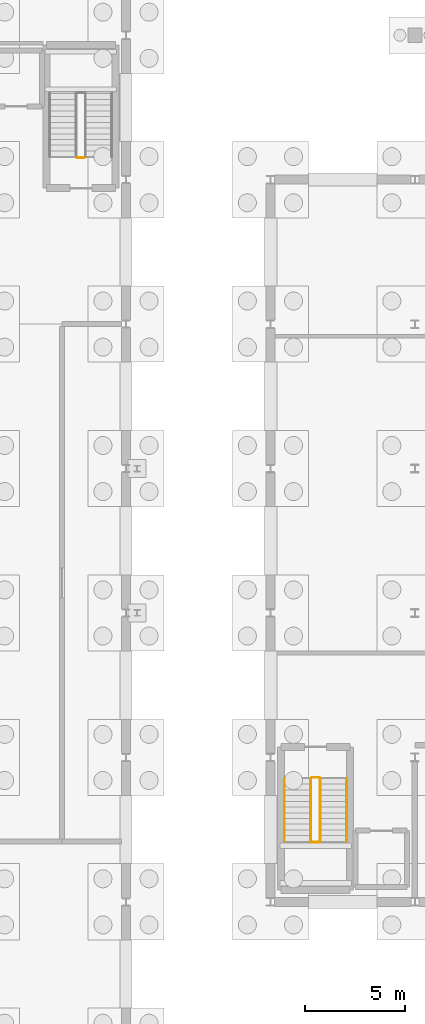
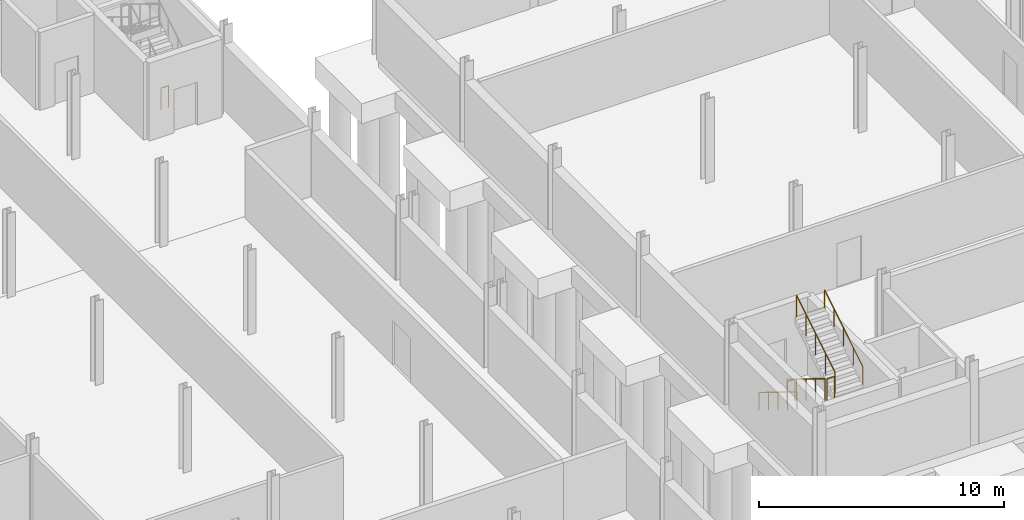
# One storey, part 46 of 50: 7 railings.
"""IFC4 building model written with IfcOpenShell, lengths in metres."""

from ifc_helpers import new_model, si_unit, direction, frame, origin, origin_2d, place, context, subcontext, project, spatial, circle, extrude, material, layer, layer_set, type_object, element, save


model = new_model("IFC4")

# Units and contexts
model_context = context("Model", 3, precision=1e-05, world=origin(), true_north=direction((0.0, 1.0)))
body_context = subcontext(model_context, "Body", "Model", "MODEL_VIEW")
ifc_project = project(units=[si_unit("LENGTHUNIT", "METRE"), si_unit("AREAUNIT", "SQUARE_METRE"), si_unit("VOLUMEUNIT", "CUBIC_METRE"), si_unit("PLANEANGLEUNIT", "RADIAN"), si_unit("MASSUNIT", "GRAM", prefix="KILO")], contexts=[model_context])

# Site, building, storey
site_placement = place(None, origin())
site = spatial("IfcSite", under=ifc_project, at=site_placement, CompositionType="ELEMENT")
building_placement = place(site_placement, origin())
building = spatial("IfcBuilding", under=site, at=building_placement, Name="Narikvali Park Central Library", CompositionType="ELEMENT")
storey_placement = place(building_placement, frame((0.0, 0.0, -4.199951171875)))
storey = spatial("IfcBuildingStorey", under=building, at=storey_placement, Name="B1", CompositionType="ELEMENT", Elevation=-4.199951171875)

# Railings
ifc_material_1 = material(Name="Brushed Stainless Steel S355", Category="steel")
ifc_layer_1 = layer(ifc_material_1, 0.044921875, Name="Brushed Stainless Steel S355")
ifc_layer_set_1 = layer_set([ifc_layer_1], Name="Brushed Stainless Steel S355")
railing_type_1 = type_object("IfcRailingType", Name="Stair Tubular Steel Handrail 900", PredefinedType="HANDRAIL", material=ifc_layer_set_1)
railing_1_placement = place(storey_placement, frame((65.5, 63.75, 0.175048828125)))
element("IfcRailing", 1, at=railing_1_placement, inside=storey, type_object=railing_type_1, Name="B1 ST-01 stair handrail 1", PredefinedType="HANDRAIL", context=body_context, shape_type="SweptSolid", body=[
    extrude(circle(Radius=0.02392578125, at=origin_2d()), frame((0.0, 0.0, 0.8759765625), z_axis=(0.0, -0.852195625947, 0.523223293744), x_axis=(1.0, 0.0, 0.0)), (0.0, 0.0, 1.0), 3.6787109375),
    extrude(circle(Radius=0.02099609375, at=origin_2d()), origin(), (0.0, 0.0, 1.0), 0.851806640625),
    extrude(circle(Radius=0.02099609375, at=origin_2d()), frame((0.0, -0.78369140625, 0.481201171875)), (0.0, 0.0, 1.0), 0.851806640625),
    extrude(circle(Radius=0.02099609375, at=origin_2d()), frame((0.0, -1.5673828125, 0.96240234375)), (0.0, 0.0, 1.0), 0.851806640625),
    extrude(circle(Radius=0.02099609375, at=origin_2d()), frame((0.0, -2.351318359375, 1.443603515625)), (0.0, 0.0, 1.0), 0.851806640625),
    extrude(circle(Radius=0.02099609375, at=origin_2d()), frame((0.0, -3.135009765625, 1.9248046875)), (0.0, 0.0, 1.0), 0.851806640625),
])
railing_2_placement = place(storey_placement, frame((68.60009765625, 60.614990234375, 2.27490234375)))
element("IfcRailing", 2, at=railing_2_placement, inside=storey, type_object=railing_type_1, Name="B1 ST-01 stair handrail 2", PredefinedType="HANDRAIL", context=body_context, shape_type="SweptSolid", body=[
    extrude(circle(Radius=0.02392578125, at=origin_2d()), frame((0.0, 0.0, 0.8759765625), z_axis=(0.0, 0.852166034122, 0.523271488128), x_axis=(-1.0, 0.0, 0.0)), (0.0, 0.0, 1.0), 3.678955078125),
    extrude(circle(Radius=0.02099609375, at=origin_2d()), origin(), (0.0, 0.0, 1.0), 0.851806640625),
    extrude(circle(Radius=0.02099609375, at=origin_2d()), frame((0.0, 0.78369140625, 0.481201171875)), (0.0, 0.0, 1.0), 0.851806640625),
    extrude(circle(Radius=0.02099609375, at=origin_2d()), frame((0.0, 1.5673828125, 0.96240234375)), (0.0, 0.0, 1.0), 0.851806640625),
    extrude(circle(Radius=0.02099609375, at=origin_2d()), frame((0.0, 2.351318359375, 1.44384765625)), (0.0, 0.0, 1.0), 0.851806640625),
    extrude(circle(Radius=0.02099609375, at=origin_2d()), frame((0.0, 3.135009765625, 1.925048828125)), (0.0, 0.0, 1.0), 0.851806640625),
])
ifc_material_2 = material(Name="Powder-Coated Steel S275", Category="steel")
ifc_layer_2 = layer(ifc_material_2, 0.050048828125, Name="Powder-Coated Steel S275")
ifc_layer_set_2 = layer_set([ifc_layer_2], Name="Powder-Coated Steel S275")
railing_type_2 = type_object("IfcRailingType", Name="Stair Well Steel Guardrail 1100", PredefinedType="GUARDRAIL", material=ifc_layer_set_2)
railing_3_placement = place(storey_placement, frame((66.820068359375, 63.75, 0.175048828125)))
element("IfcRailing", 3, at=railing_3_placement, inside=storey, type_object=railing_type_2, Name="B1 ST-01 stair guard 1", PredefinedType="GUARDRAIL", context=body_context, shape_type="SweptSolid", body=[
    extrude(circle(Radius=0.02392578125, at=origin_2d()), frame((0.0, 0.0, 1.076171875), z_axis=(0.0, -0.852195625947, 0.523223293744), x_axis=(1.0, 0.0, 0.0)), (0.0, 0.0, 1.0), 3.6787109375),
    extrude(circle(Radius=0.02099609375, at=origin_2d()), origin(), (0.0, 0.0, 1.0), 1.052001953125),
    extrude(circle(Radius=0.02099609375, at=origin_2d()), frame((0.0, -0.78369140625, 0.481201171875)), (0.0, 0.0, 1.0), 1.052001953125),
    extrude(circle(Radius=0.02099609375, at=origin_2d()), frame((0.0, -1.5673828125, 0.96240234375)), (0.0, 0.0, 1.0), 1.052001953125),
    extrude(circle(Radius=0.02099609375, at=origin_2d()), frame((0.0, -2.351318359375, 1.443603515625)), (0.0, 0.0, 1.0), 1.052001953125),
    extrude(circle(Radius=0.02099609375, at=origin_2d()), frame((0.0, -3.135009765625, 1.9248046875)), (0.0, 0.0, 1.0), 1.052001953125),
])
railing_4_placement = place(storey_placement, frame((66.8701171875, 60.56494140625, 2.099853515625)))
element("IfcRailing", 4, at=railing_4_placement, inside=storey, type_object=railing_type_2, Name="B1 ST-01 stair guard 2", PredefinedType="GUARDRAIL", context=body_context, shape_type="SweptSolid", body=[
    extrude(circle(Radius=0.02392578125, at=origin_2d()), frame((0.0, 0.0, 1.076171875), z_axis=(1.0, 0.0, 0.0), x_axis=(0.0, 1.0, 0.0)), (0.0, 0.0, 1.0), 0.35986328125),
    extrude(circle(Radius=0.02099609375, at=origin_2d()), origin(), (0.0, 0.0, 1.0), 1.052001953125),
    extrude(circle(Radius=0.02099609375, at=origin_2d()), frame((0.35986328125, 0.0, 0.0)), (0.0, 0.0, 1.0), 1.052001953125),
])
railing_5_placement = place(storey_placement, frame((67.280029296875, 60.614990234375, 2.27490234375)))
element("IfcRailing", 5, at=railing_5_placement, inside=storey, type_object=railing_type_2, Name="B1 ST-01 stair guard 3", PredefinedType="GUARDRAIL", context=body_context, shape_type="SweptSolid", body=[
    extrude(circle(Radius=0.02392578125, at=origin_2d()), frame((0.0, 0.0, 1.076171875), z_axis=(0.0, 0.852166034122, 0.523271488128), x_axis=(-1.0, 0.0, 0.0)), (0.0, 0.0, 1.0), 3.678955078125),
    extrude(circle(Radius=0.02099609375, at=origin_2d()), origin(), (0.0, 0.0, 1.0), 1.052001953125),
    extrude(circle(Radius=0.02099609375, at=origin_2d()), frame((0.0, 0.78369140625, 0.481201171875)), (0.0, 0.0, 1.0), 1.052001953125),
    extrude(circle(Radius=0.02099609375, at=origin_2d()), frame((0.0, 1.5673828125, 0.96240234375)), (0.0, 0.0, 1.0), 1.052001953125),
    extrude(circle(Radius=0.02099609375, at=origin_2d()), frame((0.0, 2.351318359375, 1.44384765625)), (0.0, 0.0, 1.0), 1.052001953125),
    extrude(circle(Radius=0.02099609375, at=origin_2d()), frame((0.0, 3.135009765625, 1.925048828125)), (0.0, 0.0, 1.0), 1.052001953125),
])
railing_6_placement = place(storey_placement, frame((66.8701171875, 63.800048828125, 0.0)))
element("IfcRailing", 6, at=railing_6_placement, inside=storey, type_object=railing_type_2, Name="B1 ST-01 stair guard 4", PredefinedType="GUARDRAIL", context=body_context, shape_type="SweptSolid", body=[
    extrude(circle(Radius=0.02392578125, at=origin_2d()), frame((0.0, 0.0, 1.076171875), z_axis=(1.0, 0.0, 0.0), x_axis=(0.0, 1.0, 0.0)), (0.0, 0.0, 1.0), 0.35986328125),
    extrude(circle(Radius=0.02099609375, at=origin_2d()), origin(), (0.0, 0.0, 1.0), 1.052001953125),
    extrude(circle(Radius=0.02099609375, at=origin_2d()), frame((0.35986328125, 0.0, 0.0)), (0.0, 0.0, 1.0), 1.052001953125),
])
railing_7_placement = place(storey_placement, frame((55.530029296875, 94.699951171875, 0.0)))
element("IfcRailing", 7, at=railing_7_placement, inside=storey, type_object=railing_type_2, Name="B1 ST-08 stair guard 4", PredefinedType="GUARDRAIL", context=body_context, shape_type="SweptSolid", body=[
    extrude(circle(Radius=0.02392578125, at=origin_2d()), frame((0.0, 0.0, 1.076171875), z_axis=(-1.0, 0.0, 0.0), x_axis=(0.0, -1.0, 0.0)), (0.0, 0.0, 1.0), 0.360107421875),
    extrude(circle(Radius=0.02099609375, at=origin_2d()), origin(), (0.0, 0.0, 1.0), 1.052001953125),
    extrude(circle(Radius=0.02099609375, at=origin_2d()), frame((-0.360107421875, 0.0, 0.0)), (0.0, 0.0, 1.0), 1.052001953125),
])

save(model, "model.ifc")
